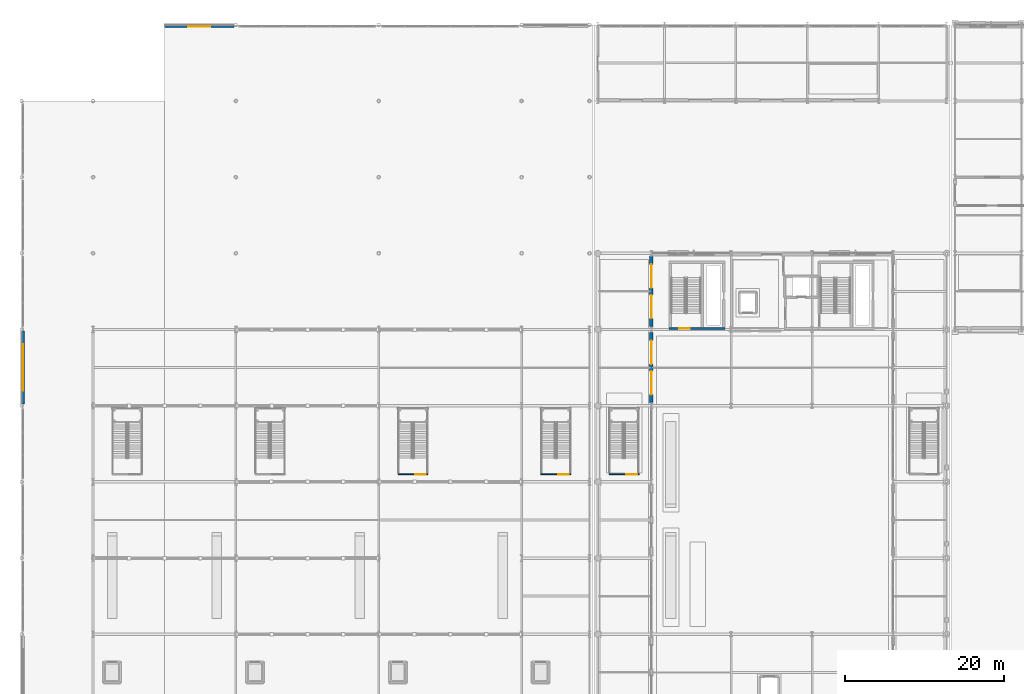
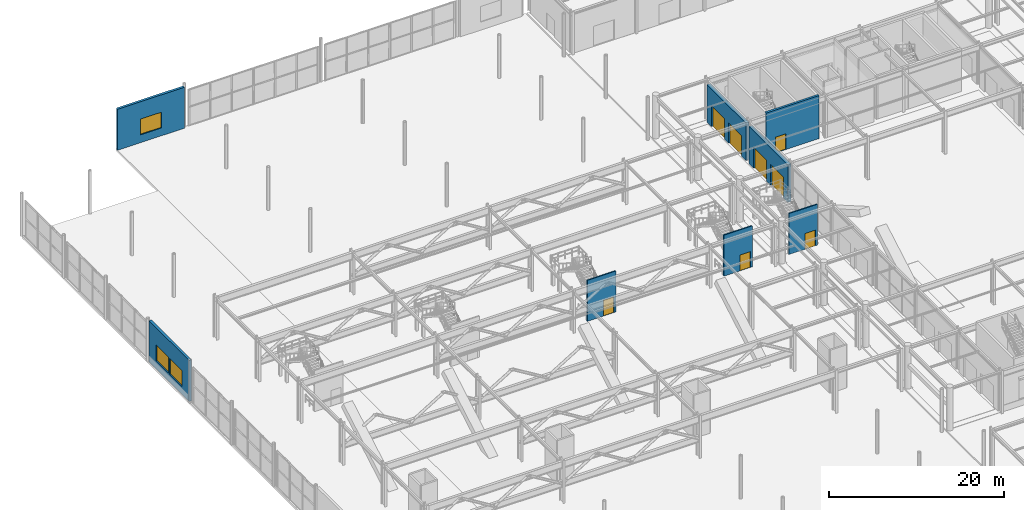
# One storey, part 62 of 113: 8 doors, 8 walls, 3 windows, 11 openings.
"""IFC4 building model written with IfcOpenShell, lengths in metres."""

from ifc_helpers import new_model, si_unit, direction, frame, frame_2d, origin, place, context, subcontext, project, spatial, rectangle, extrude, material, layer, layer_set, type_object, element, fill, save


model = new_model("IFC4")

# Units and contexts
model_context = context("Model", 3, precision=1e-05, world=origin(), true_north=direction((0.0, 1.0)))
body_context = subcontext(model_context, "Body", "Model", "MODEL_VIEW")
ifc_project = project(units=[si_unit("LENGTHUNIT", "METRE"), si_unit("AREAUNIT", "SQUARE_METRE"), si_unit("VOLUMEUNIT", "CUBIC_METRE"), si_unit("PLANEANGLEUNIT", "RADIAN"), si_unit("MASSUNIT", "GRAM", prefix="KILO")], contexts=[model_context])

# Site, building, storey
site_placement = place(None, origin())
site = spatial("IfcSite", under=ifc_project, at=site_placement, CompositionType="ELEMENT")
building_placement = place(site_placement, origin())
building = spatial("IfcBuilding", under=site, at=building_placement, Name="Myrtia Square Station", CompositionType="ELEMENT")
storey_placement = place(building_placement, origin())
storey = spatial("IfcBuildingStorey", under=building, at=storey_placement, Name="L00", CompositionType="ELEMENT", Elevation=0.0)

# Wall, opening, door
ifc_material_1 = material(Name="Concrete C35/45", Category="concrete")
ifc_layer_1 = layer(ifc_material_1, 0.300048828125, Name="Concrete C35/45")
ifc_layer_set_1 = layer_set([ifc_layer_1], Name="Concrete C35/45")
wall_type_1 = type_object("IfcWallType", Name="WL-CORE-300", PredefinedType="SHEAR", material=ifc_layer_set_1)
wall_1_placement = place(storey_placement, frame((81.60009765625, 86.52490234375, 0.0), z_axis=(0.0, 0.0, 1.0), x_axis=(1.0, 0.0, 0.0)))
wall_1 = element("IfcWall", 1, at=wall_1_placement, inside=storey, type_object=wall_type_1, Name="Core K2 shear wall L00 S", PredefinedType="SHEAR", context=body_context, shape_type="SweptSolid", body=[
    extrude(rectangle(XDim=7.0, YDim=0.300048828125, at=frame_2d((3.5, 0.0))), origin(), (0.0, 0.0, 1.0), 6.0),
])
opening_1_placement = place(wall_1_placement, frame((1.25, 0.0, 0.0)))
opening_1 = element("IfcOpeningElement", 2, at=opening_1_placement, cuts=wall_1, Name="Opening SD-013", PredefinedType="OPENING", context=body_context, shape_type="SweptSolid", body=[
    extrude(rectangle(XDim=1.35009765625, YDim=2.199951171875, at=frame_2d((0.675048828125, 1.10009765625))), frame((0.0, 0.1650390625, 0.0), z_axis=(0.0, -1.0, 0.0), x_axis=(1.0, 0.0, 0.0)), (0.0, 0.0, 1.0), 0.330078125),
])
ifc_material_2 = material(Name="Dark bronze anodised aluminium", Category="aluminium")
door_type_1 = type_object("IfcDoorType", Name="DR-STAIR-1350x2200", OperationType="NOTDEFINED", PredefinedType="DOOR", material=ifc_material_2)
door_1_placement = place(opening_1_placement, frame((1.35009765625, 0.0, 0.0), z_axis=(0.0, 0.0, 1.0), x_axis=(-1.0, 0.0, 0.0)))
door_1 = element("IfcDoor", 3, at=door_1_placement, inside=storey, type_object=door_type_1, Name="Protected stair fire door K2 L00", OperationType="SINGLE_SWING_LEFT", OverallHeight=2.199951171875, OverallWidth=1.35009765625, PredefinedType="DOOR", context=body_context, shape_type="SweptSolid", body=[
    extrude(rectangle(XDim=1.35009765625, YDim=2.199951171875, at=frame_2d((0.675048828125, 1.10009765625))), frame((0.0, 0.02490234375, 0.0), z_axis=(0.0, -1.0, 0.0), x_axis=(1.0, 0.0, 0.0)), (0.0, 0.0, 1.0), 0.050048828125),
])
fill(opening_1, door_1)

# Wall, openings, doors
ifc_material_3 = material(Name="Pentelic marble ashlar", Category="masonry")
ifc_layer_2 = layer(ifc_material_3, 0.419921875, Name="Pentelic marble ashlar")
ifc_layer_set_2 = layer_set([ifc_layer_2], Name="Pentelic marble ashlar")
wall_type_2 = type_object("IfcWallType", Name="WL-EXT-ASHLAR-420", PredefinedType="SOLIDWALL", material=ifc_layer_set_2)
wall_2_placement = place(storey_placement, frame((79.35009765625, 77.155029296875, 0.0), z_axis=(0.0, 0.0, 1.0), x_axis=(0.0, 1.0, 0.0)))
wall_2 = element("IfcWall", 4, at=wall_2_placement, inside=storey, type_object=wall_type_2, Name="Exterior envelope wall EW-L00-0007", PredefinedType="SOLIDWALL", context=body_context, shape_type="SweptSolid", body=[
    extrude(rectangle(XDim=8.889892578125, YDim=0.419921875, at=frame_2d((4.44482421875, 0.0))), origin(), (0.0, 0.0, 1.0), 5.219970703125),
])
opening_2_placement = place(wall_2_placement, frame((1.044921875, 0.0, 0.0)))
opening_2 = element("IfcOpeningElement", 5, at=opening_2_placement, cuts=wall_2, Name="Opening ED-013", PredefinedType="OPENING", context=body_context, shape_type="SweptSolid", body=[
    extrude(rectangle(XDim=2.949951171875, YDim=2.89990234375, at=frame_2d((1.47509765625, 1.449951171875))), frame((0.0, 0.224853515625, 0.0), z_axis=(0.0, -1.0, 0.0), x_axis=(1.0, 0.0, 0.0)), (0.0, 0.0, 1.0), 0.449951171875),
])
opening_3_placement = place(wall_2_placement, frame((4.89501953125, 0.0, 0.0)))
opening_3 = element("IfcOpeningElement", 6, at=opening_3_placement, cuts=wall_2, Name="Opening ED-014", PredefinedType="OPENING", context=body_context, shape_type="SweptSolid", body=[
    extrude(rectangle(XDim=2.949951171875, YDim=2.89990234375, at=frame_2d((1.47509765625, 1.449951171875))), frame((0.0, 0.224853515625, 0.0), z_axis=(0.0, -1.0, 0.0), x_axis=(1.0, 0.0, 0.0)), (0.0, 0.0, 1.0), 0.449951171875),
])
door_type_2 = type_object("IfcDoorType", Name="DR-MAIN-2950x2900", OperationType="NOTDEFINED", PredefinedType="DOOR", material=ifc_material_2)
door_2_placement = place(opening_2_placement, origin())
door_2 = element("IfcDoor", 7, at=door_2_placement, inside=storey, type_object=door_type_2, Name="Pedestrian exit door ED-013", OperationType="DOUBLE_DOOR_SINGLE_SWING", OverallHeight=2.89990234375, OverallWidth=2.949951171875, PredefinedType="DOOR", context=body_context, shape_type="SweptSolid", body=[
    extrude(rectangle(XDim=2.949951171875, YDim=2.89990234375, at=frame_2d((1.47509765625, 1.449951171875))), frame((0.0, 0.02490234375, 0.0), z_axis=(0.0, -1.0, 0.0), x_axis=(1.0, 0.0, 0.0)), (0.0, 0.0, 1.0), 0.050048828125),
])
fill(opening_2, door_2)
door_3_placement = place(opening_3_placement, origin())
door_3 = element("IfcDoor", 8, at=door_3_placement, inside=storey, type_object=door_type_2, Name="Pedestrian exit door ED-014", OperationType="DOUBLE_DOOR_SINGLE_SWING", OverallHeight=2.89990234375, OverallWidth=2.949951171875, PredefinedType="DOOR", context=body_context, shape_type="SweptSolid", body=[
    extrude(rectangle(XDim=2.949951171875, YDim=2.89990234375, at=frame_2d((1.47509765625, 1.449951171875))), frame((0.0, 0.02490234375, 0.0), z_axis=(0.0, -1.0, 0.0), x_axis=(1.0, 0.0, 0.0)), (0.0, 0.0, 1.0), 0.050048828125),
])
fill(opening_3, door_3)

wall_3_placement = place(storey_placement, frame((79.35009765625, 86.7548828125, 0.0), z_axis=(0.0, 0.0, 1.0), x_axis=(0.0, 1.0, 0.0)))
wall_3 = element("IfcWall", 9, at=wall_3_placement, inside=storey, type_object=wall_type_2, Name="Exterior envelope wall EW-L00-0009", PredefinedType="SOLIDWALL", context=body_context, shape_type="SweptSolid", body=[
    extrude(rectangle(XDim=8.89013671875, YDim=0.419921875, at=frame_2d((4.445068359375, 0.0))), origin(), (0.0, 0.0, 1.0), 5.219970703125),
])
opening_4_placement = place(wall_3_placement, frame((1.044921875, 0.0, 0.0)))
opening_4 = element("IfcOpeningElement", 10, at=opening_4_placement, cuts=wall_3, Name="Opening ED-017", PredefinedType="OPENING", context=body_context, shape_type="SweptSolid", body=[
    extrude(rectangle(XDim=2.949951171875, YDim=2.89990234375, at=frame_2d((1.47509765625, 1.449951171875))), frame((0.0, 0.224853515625, 0.0), z_axis=(0.0, -1.0, 0.0), x_axis=(1.0, 0.0, 0.0)), (0.0, 0.0, 1.0), 0.449951171875),
])
opening_5_placement = place(wall_3_placement, frame((4.89501953125, 0.0, 0.0)))
opening_5 = element("IfcOpeningElement", 11, at=opening_5_placement, cuts=wall_3, Name="Opening ED-018", PredefinedType="OPENING", context=body_context, shape_type="SweptSolid", body=[
    extrude(rectangle(XDim=2.949951171875, YDim=2.89990234375, at=frame_2d((1.47509765625, 1.449951171875))), frame((0.0, 0.224853515625, 0.0), z_axis=(0.0, -1.0, 0.0), x_axis=(1.0, 0.0, 0.0)), (0.0, 0.0, 1.0), 0.449951171875),
])
door_4_placement = place(opening_4_placement, origin())
door_4 = element("IfcDoor", 12, at=door_4_placement, inside=storey, type_object=door_type_2, Name="Pedestrian exit door ED-017", OperationType="DOUBLE_DOOR_SINGLE_SWING", OverallHeight=2.89990234375, OverallWidth=2.949951171875, PredefinedType="DOOR", context=body_context, shape_type="SweptSolid", body=[
    extrude(rectangle(XDim=2.949951171875, YDim=2.89990234375, at=frame_2d((1.47509765625, 1.449951171875))), frame((0.0, 0.02490234375, 0.0), z_axis=(0.0, -1.0, 0.0), x_axis=(1.0, 0.0, 0.0)), (0.0, 0.0, 1.0), 0.050048828125),
])
fill(opening_4, door_4)
door_5_placement = place(opening_5_placement, origin())
door_5 = element("IfcDoor", 13, at=door_5_placement, inside=storey, type_object=door_type_2, Name="Pedestrian exit door ED-018", OperationType="DOUBLE_DOOR_SINGLE_SWING", OverallHeight=2.89990234375, OverallWidth=2.949951171875, PredefinedType="DOOR", context=body_context, shape_type="SweptSolid", body=[
    extrude(rectangle(XDim=2.949951171875, YDim=2.89990234375, at=frame_2d((1.47509765625, 1.449951171875))), frame((0.0, 0.02490234375, 0.0), z_axis=(0.0, -1.0, 0.0), x_axis=(1.0, 0.0, 0.0)), (0.0, 0.0, 1.0), 0.050048828125),
])
fill(opening_5, door_5)

# Wall, openings, windows
ifc_material_4 = material(Name="Precast concrete C40/50", Category="concrete")
ifc_layer_3 = layer(ifc_material_4, 0.320068359375, Name="Precast concrete C40/50")
ifc_layer_set_3 = layer_set([ifc_layer_3], Name="Precast concrete C40/50")
wall_type_3 = type_object("IfcWallType", Name="WL-EXT-RC-320", PredefinedType="SOLIDWALL", material=ifc_layer_set_3)
wall_4_placement = place(storey_placement, frame((0.199951171875, 77.008056640625, 0.0), z_axis=(0.0, 0.0, 1.0), x_axis=(0.0, 1.0, 0.0)))
wall_4 = element("IfcWall", 14, at=wall_4_placement, inside=storey, type_object=wall_type_3, Name="Exterior envelope wall EW-L00-0020", PredefinedType="SOLIDWALL", context=body_context, shape_type="SweptSolid", body=[
    extrude(rectangle(XDim=9.183837890625, YDim=0.320068359375, at=frame_2d((4.591796875, 0.0))), origin(), (0.0, 0.0, 1.0), 5.719970703125),
])
opening_6_placement = place(wall_4_placement, frame((1.660888671875, 0.0, 1.10009765625)))
opening_6 = element("IfcOpeningElement", 15, at=opening_6_placement, cuts=wall_4, Name="Opening WN-015", PredefinedType="OPENING", context=body_context, shape_type="SweptSolid", body=[
    extrude(rectangle(XDim=2.800048828125, YDim=2.199951171875, at=frame_2d((1.39990234375, 1.10009765625))), frame((0.0, 0.175048828125, 0.0), z_axis=(0.0, -1.0, 0.0), x_axis=(1.0, 0.0, 0.0)), (0.0, 0.0, 1.0), 0.35009765625),
])
opening_7_placement = place(wall_4_placement, frame((4.722900390625, 0.0, 1.10009765625)))
opening_7 = element("IfcOpeningElement", 16, at=opening_7_placement, cuts=wall_4, Name="Opening WN-016", PredefinedType="OPENING", context=body_context, shape_type="SweptSolid", body=[
    extrude(rectangle(XDim=2.800048828125, YDim=2.199951171875, at=frame_2d((1.39990234375, 1.10009765625))), frame((0.0, 0.175048828125, 0.0), z_axis=(0.0, -1.0, 0.0), x_axis=(1.0, 0.0, 0.0)), (0.0, 0.0, 1.0), 0.35009765625),
])
ifc_material_5 = material(Name="Tinted low-E solar control glass", Category="glass")
window_type = type_object("IfcWindowType", Name="WN-SHED-2800x2200", PartitioningType="SINGLE_PANEL", PredefinedType="WINDOW", material=ifc_material_5)
window_1_placement = place(opening_6_placement, origin())
window_1 = element("IfcWindow", 17, at=window_1_placement, inside=storey, type_object=window_type, Name="Window WN-015", OverallHeight=2.199951171875, OverallWidth=2.800048828125, PartitioningType="SINGLE_PANEL", PredefinedType="WINDOW", context=body_context, shape_type="SweptSolid", body=[
    extrude(rectangle(XDim=2.800048828125, YDim=2.199951171875, at=frame_2d((1.39990234375, 1.10009765625))), frame((0.0, 0.030029296875, 0.0), z_axis=(0.0, -1.0, 0.0), x_axis=(1.0, 0.0, 0.0)), (0.0, 0.0, 1.0), 0.06005859375),
])
fill(opening_6, window_1)
window_2_placement = place(opening_7_placement, origin())
window_2 = element("IfcWindow", 18, at=window_2_placement, inside=storey, type_object=window_type, Name="Window WN-016", OverallHeight=2.199951171875, OverallWidth=2.800048828125, PartitioningType="SINGLE_PANEL", PredefinedType="WINDOW", context=body_context, shape_type="SweptSolid", body=[
    extrude(rectangle(XDim=2.800048828125, YDim=2.199951171875, at=frame_2d((1.39990234375, 1.10009765625))), frame((0.0, 0.030029296875, 0.0), z_axis=(0.0, -1.0, 0.0), x_axis=(1.0, 0.0, 0.0)), (0.0, 0.0, 1.0), 0.06005859375),
])
fill(opening_7, window_2)

# Wall, opening, window
wall_5_placement = place(storey_placement, frame((18.0, 124.60009765625, 0.0), z_axis=(0.0, 0.0, 1.0), x_axis=(1.0, 0.0, 0.0)))
wall_5 = element("IfcWall", 19, at=wall_5_placement, inside=storey, type_object=wall_type_3, Name="Exterior envelope wall EW-L00-0022", PredefinedType="SOLIDWALL", context=body_context, shape_type="SweptSolid", body=[
    extrude(rectangle(XDim=8.7919921875, YDim=0.320068359375, at=frame_2d((4.39599609375, 0.0))), origin(), (0.0, 0.0, 1.0), 5.719970703125),
])
opening_8_placement = place(wall_5_placement, frame((2.99609375, 0.0, 1.10009765625)))
opening_8 = element("IfcOpeningElement", 20, at=opening_8_placement, cuts=wall_5, Name="Opening WN-018", PredefinedType="OPENING", context=body_context, shape_type="SweptSolid", body=[
    extrude(rectangle(XDim=2.800048828125, YDim=2.199951171875, at=frame_2d((1.39990234375, 1.10009765625))), frame((0.0, 0.175048828125, 0.0), z_axis=(0.0, -1.0, 0.0), x_axis=(1.0, 0.0, 0.0)), (0.0, 0.0, 1.0), 0.35009765625),
])
window_3_placement = place(opening_8_placement, origin())
window_3 = element("IfcWindow", 21, at=window_3_placement, inside=storey, type_object=window_type, Name="Window WN-018", OverallHeight=2.199951171875, OverallWidth=2.800048828125, PartitioningType="SINGLE_PANEL", PredefinedType="WINDOW", context=body_context, shape_type="SweptSolid", body=[
    extrude(rectangle(XDim=2.800048828125, YDim=2.199951171875, at=frame_2d((1.39990234375, 1.10009765625))), frame((0.0, 0.030029296875, 0.0), z_axis=(0.0, -1.0, 0.0), x_axis=(1.0, 0.0, 0.0)), (0.0, 0.0, 1.0), 0.06005859375),
])
fill(opening_8, window_3)

# Wall, opening, door
ifc_material_6 = material(Name="Gypsum plasterboard")
ifc_layer_4 = layer(ifc_material_6, 0.14990234375, Name="Gypsum plasterboard")
ifc_layer_set_4 = layer_set([ifc_layer_4], Name="Gypsum plasterboard")
wall_type_4 = type_object("IfcWallType", Name="WL-PART-150", PredefinedType="PARTITIONING", material=ifc_layer_set_4)
wall_6_placement = place(storey_placement, frame((47.43994140625, 68.14990234375, 0.0), z_axis=(0.0, 0.0, 1.0), x_axis=(1.0, 0.0, 0.0)))
wall_6 = element("IfcWall", 22, at=wall_6_placement, inside=storey, type_object=wall_type_4, Name="Interchange stair smoke vestibule wall 03 L00", PredefinedType="PARTITIONING", context=body_context, shape_type="SweptSolid", body=[
    extrude(rectangle(XDim=3.760009765625, YDim=0.14990234375, at=frame_2d((1.8798828125, 0.0))), origin(), (0.0, 0.0, 1.0), 5.719970703125),
])
opening_9_placement = place(wall_6_placement, frame((2.14990234375, 0.0, 0.0)))
opening_9 = element("IfcOpeningElement", 23, at=opening_9_placement, cuts=wall_6, Name="Opening SD-187", PredefinedType="OPENING", context=body_context, shape_type="SweptSolid", body=[
    extrude(rectangle(XDim=1.35009765625, YDim=2.199951171875, at=frame_2d((0.675048828125, 1.10009765625))), frame((0.0, 0.08984375, 0.0), z_axis=(0.0, -1.0, 0.0), x_axis=(1.0, 0.0, 0.0)), (0.0, 0.0, 1.0), 0.179931640625),
])
door_6_placement = place(opening_9_placement, frame((1.35009765625, 0.0, 0.0), z_axis=(0.0, 0.0, 1.0), x_axis=(-1.0, 0.0, 0.0)))
door_6 = element("IfcDoor", 24, at=door_6_placement, inside=storey, type_object=door_type_1, Name="Interchange stair fire door 03 L00", OperationType="SINGLE_SWING_LEFT", OverallHeight=2.199951171875, OverallWidth=1.35009765625, PredefinedType="DOOR", context=body_context, shape_type="SweptSolid", body=[
    extrude(rectangle(XDim=1.35009765625, YDim=2.199951171875, at=frame_2d((0.675048828125, 1.10009765625))), frame((0.0, 0.02490234375, 0.0), z_axis=(0.0, -1.0, 0.0), x_axis=(1.0, 0.0, 0.0)), (0.0, 0.0, 1.0), 0.050048828125),
])
fill(opening_9, door_6)

wall_7_placement = place(storey_placement, frame((65.43994140625, 68.14990234375, 0.0), z_axis=(0.0, 0.0, 1.0), x_axis=(1.0, 0.0, 0.0)))
wall_7 = element("IfcWall", 25, at=wall_7_placement, inside=storey, type_object=wall_type_4, Name="Interchange stair smoke vestibule wall 04 L00", PredefinedType="PARTITIONING", context=body_context, shape_type="SweptSolid", body=[
    extrude(rectangle(XDim=3.760009765625, YDim=0.14990234375, at=frame_2d((1.8798828125, 0.0))), origin(), (0.0, 0.0, 1.0), 5.719970703125),
])
opening_10_placement = place(wall_7_placement, frame((2.14990234375, 0.0, 0.0)))
opening_10 = element("IfcOpeningElement", 26, at=opening_10_placement, cuts=wall_7, Name="Opening SD-189", PredefinedType="OPENING", context=body_context, shape_type="SweptSolid", body=[
    extrude(rectangle(XDim=1.35009765625, YDim=2.199951171875, at=frame_2d((0.675048828125, 1.10009765625))), frame((0.0, 0.08984375, 0.0), z_axis=(0.0, -1.0, 0.0), x_axis=(1.0, 0.0, 0.0)), (0.0, 0.0, 1.0), 0.179931640625),
])
door_7_placement = place(opening_10_placement, frame((1.35009765625, 0.0, 0.0), z_axis=(0.0, 0.0, 1.0), x_axis=(-1.0, 0.0, 0.0)))
door_7 = element("IfcDoor", 27, at=door_7_placement, inside=storey, type_object=door_type_1, Name="Interchange stair fire door 04 L00", OperationType="SINGLE_SWING_LEFT", OverallHeight=2.199951171875, OverallWidth=1.35009765625, PredefinedType="DOOR", context=body_context, shape_type="SweptSolid", body=[
    extrude(rectangle(XDim=1.35009765625, YDim=2.199951171875, at=frame_2d((0.675048828125, 1.10009765625))), frame((0.0, 0.02490234375, 0.0), z_axis=(0.0, -1.0, 0.0), x_axis=(1.0, 0.0, 0.0)), (0.0, 0.0, 1.0), 0.050048828125),
])
fill(opening_10, door_7)

wall_8_placement = place(storey_placement, frame((74.0400390625, 68.14990234375, 0.0), z_axis=(0.0, 0.0, 1.0), x_axis=(1.0, 0.0, 0.0)))
wall_8 = element("IfcWall", 28, at=wall_8_placement, inside=storey, type_object=wall_type_4, Name="Interchange stair smoke vestibule wall 05 L00", PredefinedType="PARTITIONING", context=body_context, shape_type="SweptSolid", body=[
    extrude(rectangle(XDim=3.760009765625, YDim=0.14990234375, at=frame_2d((1.8798828125, 0.0))), origin(), (0.0, 0.0, 1.0), 5.719970703125),
])
opening_11_placement = place(wall_8_placement, frame((2.14990234375, 0.0, 0.0)))
opening_11 = element("IfcOpeningElement", 29, at=opening_11_placement, cuts=wall_8, Name="Opening SD-191", PredefinedType="OPENING", context=body_context, shape_type="SweptSolid", body=[
    extrude(rectangle(XDim=1.35009765625, YDim=2.199951171875, at=frame_2d((0.675048828125, 1.10009765625))), frame((0.0, 0.08984375, 0.0), z_axis=(0.0, -1.0, 0.0), x_axis=(1.0, 0.0, 0.0)), (0.0, 0.0, 1.0), 0.179931640625),
])
door_8_placement = place(opening_11_placement, frame((1.35009765625, 0.0, 0.0), z_axis=(0.0, 0.0, 1.0), x_axis=(-1.0, 0.0, 0.0)))
door_8 = element("IfcDoor", 30, at=door_8_placement, inside=storey, type_object=door_type_1, Name="Interchange stair fire door 05 L00", OperationType="SINGLE_SWING_LEFT", OverallHeight=2.199951171875, OverallWidth=1.35009765625, PredefinedType="DOOR", context=body_context, shape_type="SweptSolid", body=[
    extrude(rectangle(XDim=1.35009765625, YDim=2.199951171875, at=frame_2d((0.675048828125, 1.10009765625))), frame((0.0, 0.02490234375, 0.0), z_axis=(0.0, -1.0, 0.0), x_axis=(1.0, 0.0, 0.0)), (0.0, 0.0, 1.0), 0.050048828125),
])
fill(opening_11, door_8)

save(model, "model.ifc")
